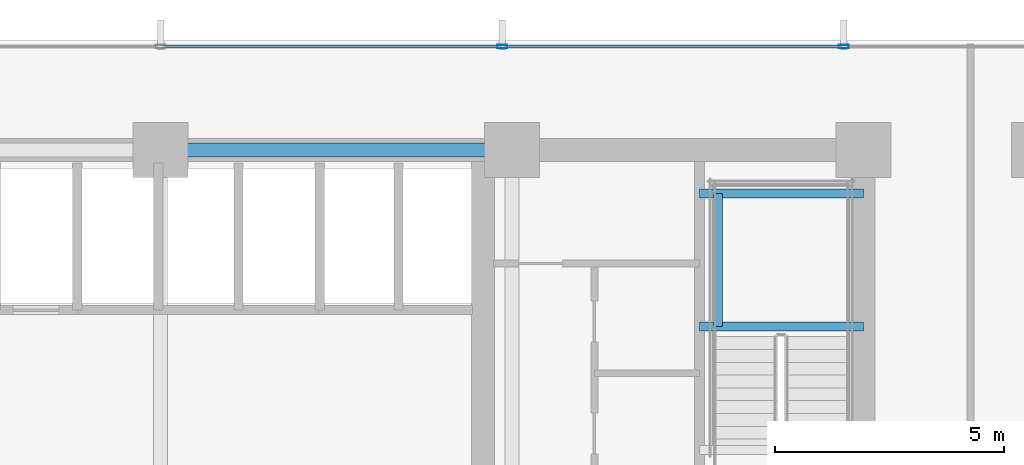
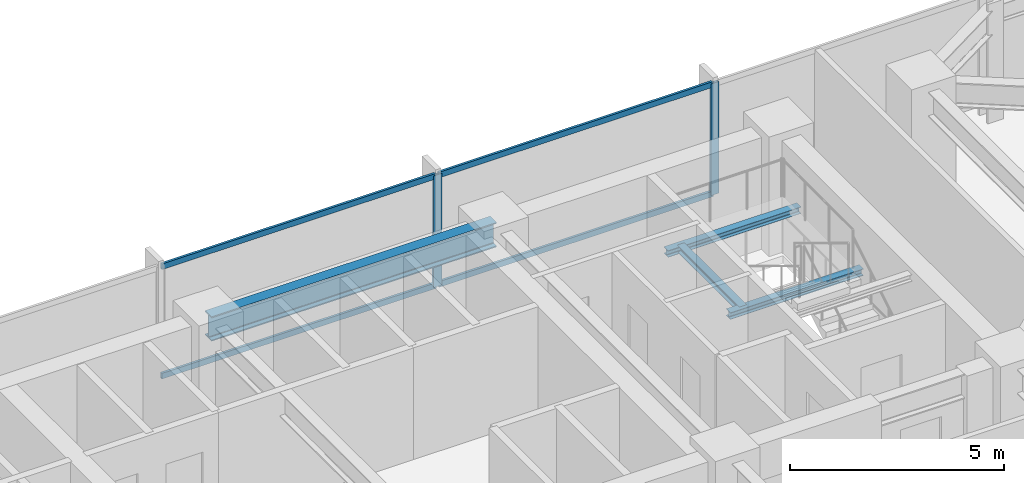
# One storey, part 19 of 32: 6 members, 4 beams, 1 element without a shape of its own.
"""IFC4 building model written with IfcOpenShell, lengths in metres."""

from ifc_helpers import new_model, si_unit, direction, frame, origin, origin_2d, place, context, subcontext, project, spatial, hollow_rectangle, i_section, extrude, material, material_profile, profile_set, type_object, element, aggregate, save


model = new_model("IFC4")

# Units and contexts
model_context = context("Model", 3, precision=1e-05, world=origin(), true_north=direction((0.0, 1.0)))
body_context = subcontext(model_context, "Body", "Model", "MODEL_VIEW")
ifc_project = project(units=[si_unit("LENGTHUNIT", "METRE"), si_unit("AREAUNIT", "SQUARE_METRE"), si_unit("VOLUMEUNIT", "CUBIC_METRE"), si_unit("PLANEANGLEUNIT", "RADIAN"), si_unit("MASSUNIT", "GRAM", prefix="KILO")], contexts=[model_context])

# Site, building, storey
site_placement = place(None, origin())
site = spatial("IfcSite", under=ifc_project, at=site_placement, CompositionType="ELEMENT")
building_placement = place(site_placement, origin())
building = spatial("IfcBuilding", under=site, at=building_placement, Name="Yelkora Congress Tower", CompositionType="ELEMENT")
storey_placement = place(building_placement, frame((0.0, 0.0, 57.60009765625)))
storey = spatial("IfcBuildingStorey", under=building, at=storey_placement, Name="L14", CompositionType="ELEMENT", Elevation=57.60009765625)

# Beams
ifc_material_1 = material(Name="Steel S355J2", Category="steel")
ifc_material_profile_1 = material_profile(ifc_material_1, i_section(OverallWidth=0.300048828125, OverallDepth=0.699951171875, WebThickness=0.01708984375, FlangeThickness=0.031982421875, FilletRadius=0.027099609375, at=origin_2d()), Name="HEB 700")
ifc_profile_set_1 = profile_set([ifc_material_profile_1], Name="Steel S355J2")
beam_type_1 = type_object("IfcBeamType", Name="BM-GIRD-HEB700", PredefinedType="BEAM", material=ifc_profile_set_1)
beam_1_placement = place(storey_placement, frame((38.39990234375, 46.199951171875, 2.829833984375), z_axis=(1.0, 0.0, 0.0), x_axis=(0.0, 1.0, 0.0)))
element("IfcBeam", 1, at=beam_1_placement, inside=storey, type_object=beam_type_1, Name="L14 Core North Girder 4", PredefinedType="BEAM", context=body_context, shape_type="SweptSolid", body=[
    extrude(i_section(OverallWidth=0.300048828125, OverallDepth=0.699951171875, WebThickness=0.01708984375, FlangeThickness=0.031982421875, FilletRadius=0.027099609375, at=origin_2d()), origin(), (0.0, 0.0, 1.0), 7.68017578125),
])
ifc_material_profile_2 = material_profile(ifc_material_1, i_section(OverallWidth=0.199951171875, OverallDepth=0.18994140625, WebThickness=0.006591796875, FlangeThickness=0.010009765625, FilletRadius=0.01806640625, at=origin_2d()), Name="HEA 200")
ifc_profile_set_2 = profile_set([ifc_material_profile_2], Name="Steel S355J2")
beam_type_2 = type_object("IfcBeamType", Name="BM-LAND-HEA200", PredefinedType="BEAM", material=ifc_profile_set_2)
for number, where, z_axis, x_axis, name in (
    (2, (50.179931640625, 42.340087890625, 1.384521484375), (1.0, 0.0, 0.0), (0.0, 1.0, 0.0), "ST-02 L14 Landing Header Beam 1S"),
    (3, (50.179931640625, 45.25, 1.384521484375), (1.0, 0.0, 0.0), (0.0, 1.0, 0.0), "ST-02 L14 Landing Header Beam 1N"),
):
    element("IfcBeam", number, at=place(storey_placement, frame(where, z_axis=z_axis, x_axis=x_axis)), inside=storey, type_object=beam_type_2, Name=name, PredefinedType="BEAM", context=body_context, shape_type="SweptSolid", body=[
        extrude(i_section(OverallWidth=0.199951171875, OverallDepth=0.18994140625, WebThickness=0.006591796875, FlangeThickness=0.010009765625, FilletRadius=0.01806640625, at=origin_2d()), origin(), (0.0, 0.0, 1.0), 3.580078125),
    ])
beam_2_placement = place(storey_placement, frame((50.580078125, 42.340087890625, 1.384521484375), z_axis=(0.0, 1.0, 0.0), x_axis=(-1.0, 0.0, 0.0)))
element("IfcBeam", 4, at=beam_2_placement, inside=storey, type_object=beam_type_2, Name="ST-02 L14 Landing Trimmer Beam 1M", PredefinedType="BEAM", context=body_context, shape_type="SweptSolid", body=[
    extrude(i_section(OverallWidth=0.199951171875, OverallDepth=0.18994140625, WebThickness=0.006591796875, FlangeThickness=0.010009765625, FilletRadius=0.01806640625, at=origin_2d()), origin(), (0.0, 0.0, 1.0), 2.909912109375),
])

# Curtain wall, members
ifc_material_2 = material(Name="Anodised aluminium and insulated glass", Category="aluminium")
curtain_wall_type = type_object("IfcCurtainWallType", Name="CW-SYS-B1", PredefinedType="NOTDEFINED", material=ifc_material_2)
curtain_wall_placement = place(storey_placement, origin())
curtain_wall = element("IfcCurtainWall", 5, at=curtain_wall_placement, inside=storey, type_object=curtain_wall_type, Name="L14 Unitised Curtain Wall 10", PredefinedType="NOTDEFINED")
ifc_material_3 = material(Name="Anodised aluminium 6063-T6", Category="aluminium")
ifc_material_profile_3 = material_profile(ifc_material_3, hollow_rectangle(XDim=0.074951171875, YDim=0.219970703125, WallThickness=0.0048828125, at=origin_2d()), Name="ALU 75x220x5")
ifc_profile_set_3 = profile_set([ifc_material_profile_3], Name="Anodised aluminium 6063-T6")
member_type_1 = type_object("IfcMemberType", Name="MEM-ML-B1", PredefinedType="MULLION", material=ifc_profile_set_3)
member_1_placement = place(storey_placement, frame((45.864990234375, 48.4599609375, 0.0), z_axis=(0.0, 0.0, 1.0), x_axis=(0.0, 1.0, 0.0)))
member_1 = element("IfcMember", 6, at=member_1_placement, type_object=member_type_1, Name="CW-B1 mullion 6", PredefinedType="MULLION", context=body_context, shape_type="SweptSolid", body=[
    extrude(hollow_rectangle(XDim=0.074951171875, YDim=0.219970703125, WallThickness=0.0048828125, at=origin_2d()), origin(), (0.0, 0.0, 1.0), 3.179931640625),
])
member_2_placement = place(storey_placement, frame((53.330078125, 48.4599609375, 0.0), z_axis=(0.0, 0.0, 1.0), x_axis=(0.0, 1.0, 0.0)))
member_2 = element("IfcMember", 7, at=member_2_placement, type_object=member_type_1, Name="CW-B1 mullion 7", PredefinedType="MULLION", context=body_context, shape_type="SweptSolid", body=[
    extrude(hollow_rectangle(XDim=0.074951171875, YDim=0.219970703125, WallThickness=0.0048828125, at=origin_2d()), origin(), (0.0, 0.0, 1.0), 3.179931640625),
])
ifc_material_profile_4 = material_profile(ifc_material_3, hollow_rectangle(XDim=0.06494140625, YDim=0.159912109375, WallThickness=0.00390625, at=origin_2d()), Name="ALU 65x160x4")
ifc_profile_set_4 = profile_set([ifc_material_profile_4], Name="Anodised aluminium 6063-T6")
member_type_2 = type_object("IfcMemberType", Name="MEM-TR-B1", PredefinedType="USERDEFINED", material=ifc_profile_set_4)
member_3_placement = place(storey_placement, frame((38.4375, 48.4599609375, 0.032470703125), z_axis=(1.0, 0.0, 0.0), x_axis=(0.0, 1.0, 0.0)))
member_3 = element("IfcMember", 8, at=member_3_placement, type_object=member_type_2, Name="CW-B1 transom 5.1", ObjectType="TRANSOM", PredefinedType="USERDEFINED", context=body_context, shape_type="SweptSolid", body=[
    extrude(hollow_rectangle(XDim=0.06494140625, YDim=0.159912109375, WallThickness=0.00390625, at=origin_2d()), origin(), (0.0, 0.0, 1.0), 7.389892578125),
])
member_4_placement = place(storey_placement, frame((38.4375, 48.4599609375, 3.1474609375), z_axis=(1.0, 0.0, 0.0), x_axis=(0.0, 1.0, 0.0)))
member_4 = element("IfcMember", 9, at=member_4_placement, type_object=member_type_2, Name="CW-B1 transom 5.2", ObjectType="TRANSOM", PredefinedType="USERDEFINED", context=body_context, shape_type="SweptSolid", body=[
    extrude(hollow_rectangle(XDim=0.06494140625, YDim=0.159912109375, WallThickness=0.00390625, at=origin_2d()), origin(), (0.0, 0.0, 1.0), 7.389892578125),
])
member_5_placement = place(storey_placement, frame((45.902587890625, 48.4599609375, 0.032470703125), z_axis=(1.0, 0.0, 0.0), x_axis=(0.0, 1.0, 0.0)))
member_5 = element("IfcMember", 10, at=member_5_placement, type_object=member_type_2, Name="CW-B1 transom 6.1", ObjectType="TRANSOM", PredefinedType="USERDEFINED", context=body_context, shape_type="SweptSolid", body=[
    extrude(hollow_rectangle(XDim=0.06494140625, YDim=0.159912109375, WallThickness=0.00390625, at=origin_2d()), origin(), (0.0, 0.0, 1.0), 7.389892578125),
])
member_6_placement = place(storey_placement, frame((45.902587890625, 48.4599609375, 3.1474609375), z_axis=(1.0, 0.0, 0.0), x_axis=(0.0, 1.0, 0.0)))
member_6 = element("IfcMember", 11, at=member_6_placement, type_object=member_type_2, Name="CW-B1 transom 6.2", ObjectType="TRANSOM", PredefinedType="USERDEFINED", context=body_context, shape_type="SweptSolid", body=[
    extrude(hollow_rectangle(XDim=0.06494140625, YDim=0.159912109375, WallThickness=0.00390625, at=origin_2d()), origin(), (0.0, 0.0, 1.0), 7.389892578125),
])
aggregate(curtain_wall, [member_1, member_2, member_3, member_4, member_5, member_6])

save(model, "model.ifc")
